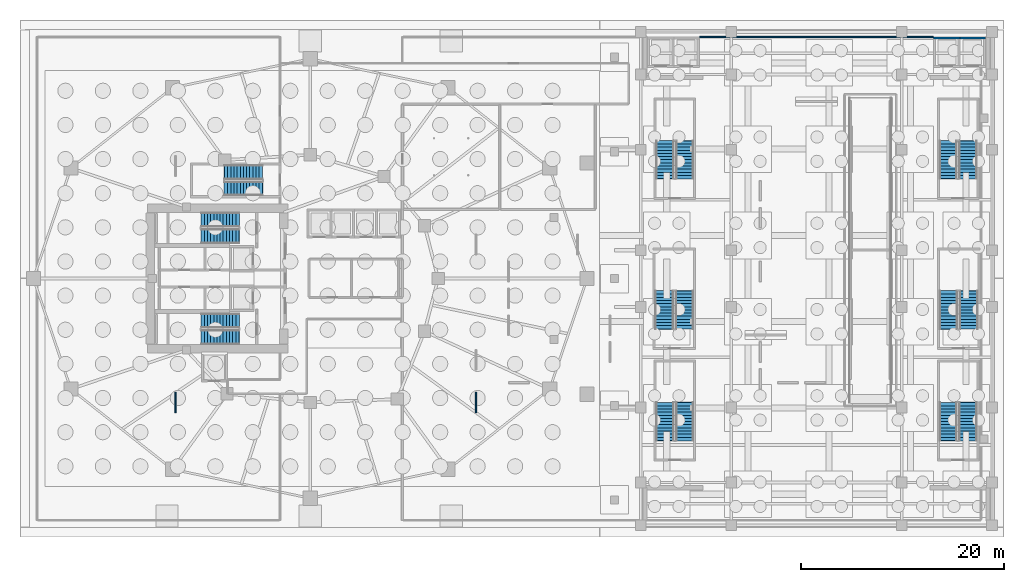
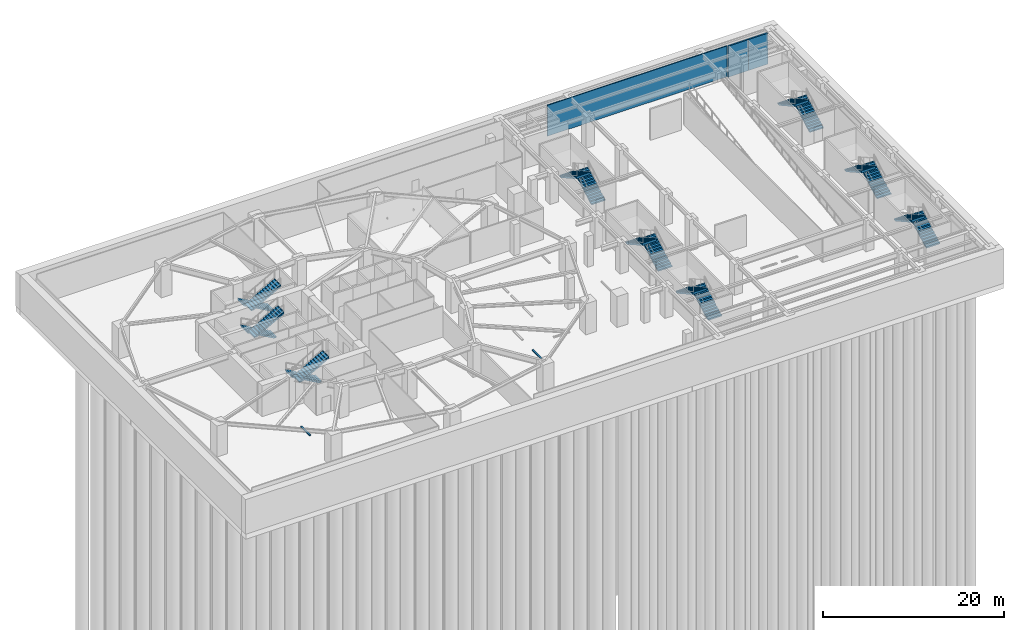
# One storey, part 12 of 19: 18 stair flights, 3 walls, 2 discrete accessories, 9 elements without a shape of their own.
"""IFC4 building model written with IfcOpenShell, lengths in metres."""

from ifc_helpers import new_model, si_unit, direction, frame, frame_2d, origin, origin_2d, place, context, subcontext, project, spatial, polyline, rectangle, outline, extrude, material, layer, layer_set, type_object, element, aggregate, save


model = new_model("IFC4")

# Units and contexts
model_context = context("Model", 3, precision=1e-05, world=origin(), true_north=direction((0.0, 1.0)))
body_context = subcontext(model_context, "Body", "Model", "MODEL_VIEW")
ifc_project = project(units=[si_unit("LENGTHUNIT", "METRE"), si_unit("AREAUNIT", "SQUARE_METRE"), si_unit("VOLUMEUNIT", "CUBIC_METRE"), si_unit("PLANEANGLEUNIT", "RADIAN"), si_unit("MASSUNIT", "GRAM", prefix="KILO")], contexts=[model_context])

# Site, building, storey
site_placement = place(None, origin())
site = spatial("IfcSite", under=ifc_project, at=site_placement, CompositionType="ELEMENT")
building_placement = place(site_placement, origin())
building = spatial("IfcBuilding", under=site, at=building_placement, Name="Kolvaren Gate Tower and Convention Centre", CompositionType="ELEMENT")
storey_placement = place(building_placement, frame((0.0, 0.0, -13.5)))
storey = spatial("IfcBuildingStorey", under=building, at=storey_placement, Name="B3", CompositionType="ELEMENT", Elevation=-13.5)

# Walls
ifc_material_1 = material(Name="Fire-Rated Acoustic Gypsum Stud Partition", Category="gypsum")
ifc_layer_1 = layer(ifc_material_1, 0.1201171875)
ifc_layer_set_1 = layer_set([ifc_layer_1], Name="Fire-Rated Acoustic Gypsum Stud Partition")
wall_type_1 = type_object("IfcWallType", Name="ARCH-WL-PART-120", PredefinedType="PARTITIONING", material=ifc_layer_set_1)
wall_1_placement = place(storey_placement, frame((68.5, 50.800048828125, 0.0), z_axis=(0.0, 0.0, 1.0), x_axis=(1.0, 0.0, 0.0)))
element("IfcWall", 1, at=wall_1_placement, inside=storey, type_object=wall_type_1, Name="Interior Partition WL-B3-INT-031", PredefinedType="PARTITIONING", context=body_context, shape_type="SweptSolid", body=[
    extrude(rectangle(XDim=23.0, YDim=0.1201171875, at=frame_2d((11.5, 0.0))), origin(), (0.0, 0.0, 1.0), 4.179931640625),
])
ifc_material_2 = material(Name="Autoclaved Aerated Masonry Blockwork Class 4 (4.0 MPa)", Category="masonry")
ifc_layer_2 = layer(ifc_material_2, 0.199951171875)
ifc_layer_set_2 = layer_set([ifc_layer_2], Name="Autoclaved Aerated Masonry Blockwork Class 4 (4.0 MPa)")
wall_type_2 = type_object("IfcWallType", Name="ARCH-WL-SHAFT-200", PredefinedType="SOLIDWALL", material=ifc_layer_set_2)
wall_2_placement = place(storey_placement, frame((91.550048828125, 50.699951171875, 0.0), z_axis=(0.0, 0.0, 1.0), x_axis=(1.0, 0.0, 0.0)))
element("IfcWall", 2, at=wall_2_placement, inside=storey, type_object=wall_type_2, Name="Elevator CL-03 B3 Fire Shaft Wall N", PredefinedType="SOLIDWALL", context=body_context, shape_type="SweptSolid", body=[
    extrude(rectangle(XDim=2.599853515625, YDim=0.199951171875, at=frame_2d((1.2998046875, 0.0))), origin(), (0.0, 0.0, 1.0), 4.179931640625),
])
wall_3_placement = place(storey_placement, frame((94.14990234375, 50.699951171875, 0.0), z_axis=(0.0, 0.0, 1.0), x_axis=(1.0, 0.0, 0.0)))
element("IfcWall", 3, at=wall_3_placement, inside=storey, type_object=wall_type_2, Name="Elevator CL-04 B3 Fire Shaft Wall N", PredefinedType="SOLIDWALL", context=body_context, shape_type="SweptSolid", body=[
    extrude(rectangle(XDim=2.5, YDim=0.199951171875, at=frame_2d((1.25, 0.0))), origin(), (0.0, 0.0, 1.0), 4.179931640625),
])

# Stair, stair flights
ifc_material_3 = material(Name="Concrete C50/60", Category="concrete")
stair_type_1 = type_object("IfcStairType", Name="STR-STAIR-CORE", PredefinedType="HALF_TURN_STAIR", material=ifc_material_3)
stair_1_placement = place(storey_placement, origin())
stair_1 = element("IfcStair", 4, at=stair_1_placement, inside=storey, type_object=stair_type_1, Name="B3 Tower North Exit Stair ST-T1", PredefinedType="HALF_TURN_STAIR")
stair_flight_type_1 = type_object("IfcStairFlightType", Name="STR-SFL-1420", PredefinedType="STRAIGHT", material=ifc_material_3)
stair_flight_1_placement = place(storey_placement, frame((23.10009765625, 32.7900390625, 0.0), z_axis=(0.0, 0.0, 1.0), x_axis=(-1.0, 0.0, 0.0)))
stair_flight_1 = element("IfcStairFlight", 5, at=stair_flight_1_placement, type_object=stair_flight_type_1, Name="ST-T1 flight 1", NumberOfRisers=13, NumberOfTreads=12, PredefinedType="STRAIGHT", RiserHeight=0.173076923, TreadLength=0.31, context=body_context, shape_type="SweptSolid", body=[
    extrude(outline(polyline([(-0.034912109375, 0.0), (-0.034912109375, 0.173095703125), (0.31005859375, 0.173095703125), (0.31005859375, 0.34619140625), (0.6201171875, 0.34619140625), (0.6201171875, 0.519287109375), (0.929931640625, 0.519287109375), (0.929931640625, 0.6923828125), (1.239990234375, 0.6923828125), (1.239990234375, 0.865478515625), (1.550048828125, 0.865478515625), (1.550048828125, 1.03857421875), (1.860107421875, 1.03857421875), (1.860107421875, 1.21142578125), (2.169921875, 1.21142578125), (2.169921875, 1.384521484375), (2.47998046875, 1.384521484375), (2.47998046875, 1.5576171875), (2.7900390625, 1.5576171875), (2.7900390625, 1.730712890625), (3.10009765625, 1.730712890625), (3.10009765625, 1.90380859375), (3.409912109375, 1.90380859375), (3.409912109375, 2.076904296875), (3.719970703125, 2.076904296875), (3.719970703125, 2.25), (3.764892578125, 2.25), (3.764892578125, 2.090087890625), (3.719970703125, 1.9052734375), (0.3076171875, 0.0), (-0.034912109375, 0.0)])), frame((0.0, 0.7099609375, 0.0), z_axis=(0.0, -1.0, 0.0), x_axis=(1.0, 0.0, 0.0)), (0.0, 0.0, 1.0), 1.419921875),
])
stair_flight_2_placement = place(storey_placement, frame((19.3798828125, 31.169921875, 2.25), z_axis=(0.0, 0.0, 1.0), x_axis=(1.0, 0.0, 0.0)))
stair_flight_2 = element("IfcStairFlight", 6, at=stair_flight_2_placement, type_object=stair_flight_type_1, Name="ST-T1 flight 2", NumberOfRisers=13, NumberOfTreads=12, PredefinedType="STRAIGHT", RiserHeight=0.173076923, TreadLength=0.31, context=body_context, shape_type="SweptSolid", body=[
    extrude(outline(polyline([(-0.034912109375, 0.0), (-0.034912109375, 0.173095703125), (0.31005859375, 0.173095703125), (0.31005859375, 0.34619140625), (0.6201171875, 0.34619140625), (0.6201171875, 0.519287109375), (0.929931640625, 0.519287109375), (0.929931640625, 0.6923828125), (1.239990234375, 0.6923828125), (1.239990234375, 0.865478515625), (1.550048828125, 0.865478515625), (1.550048828125, 1.03857421875), (1.860107421875, 1.03857421875), (1.860107421875, 1.21142578125), (2.169921875, 1.21142578125), (2.169921875, 1.384521484375), (2.47998046875, 1.384521484375), (2.47998046875, 1.5576171875), (2.7900390625, 1.5576171875), (2.7900390625, 1.730712890625), (3.10009765625, 1.730712890625), (3.10009765625, 1.90380859375), (3.409912109375, 1.90380859375), (3.409912109375, 2.076904296875), (3.719970703125, 2.076904296875), (3.719970703125, 2.25), (3.764892578125, 2.25), (3.764892578125, 2.090087890625), (3.719970703125, 1.9052734375), (0.3076171875, 0.0), (-0.034912109375, 0.0)])), frame((0.0, 0.7099609375, 0.0), z_axis=(0.0, -1.0, 0.0), x_axis=(1.0, 0.0, 0.0)), (0.0, 0.0, 1.0), 1.419921875),
])
aggregate(stair_1, [stair_flight_1, stair_flight_2])

stair_2_placement = place(storey_placement, origin())
stair_2 = element("IfcStair", 7, at=stair_2_placement, inside=storey, type_object=stair_type_1, Name="B3 Tower South Exit Stair ST-T2", PredefinedType="HALF_TURN_STAIR")
stair_flight_3_placement = place(storey_placement, frame((23.10009765625, 22.830078125, 0.0), z_axis=(0.0, 0.0, 1.0), x_axis=(-1.0, 0.0, 0.0)))
stair_flight_3 = element("IfcStairFlight", 8, at=stair_flight_3_placement, type_object=stair_flight_type_1, Name="ST-T2 flight 1", NumberOfRisers=13, NumberOfTreads=12, PredefinedType="STRAIGHT", RiserHeight=0.173076923, TreadLength=0.31, context=body_context, shape_type="SweptSolid", body=[
    extrude(outline(polyline([(-0.034912109375, 0.0), (-0.034912109375, 0.173095703125), (0.31005859375, 0.173095703125), (0.31005859375, 0.34619140625), (0.6201171875, 0.34619140625), (0.6201171875, 0.519287109375), (0.929931640625, 0.519287109375), (0.929931640625, 0.6923828125), (1.239990234375, 0.6923828125), (1.239990234375, 0.865478515625), (1.550048828125, 0.865478515625), (1.550048828125, 1.03857421875), (1.860107421875, 1.03857421875), (1.860107421875, 1.21142578125), (2.169921875, 1.21142578125), (2.169921875, 1.384521484375), (2.47998046875, 1.384521484375), (2.47998046875, 1.5576171875), (2.7900390625, 1.5576171875), (2.7900390625, 1.730712890625), (3.10009765625, 1.730712890625), (3.10009765625, 1.90380859375), (3.409912109375, 1.90380859375), (3.409912109375, 2.076904296875), (3.719970703125, 2.076904296875), (3.719970703125, 2.25), (3.764892578125, 2.25), (3.764892578125, 2.090087890625), (3.719970703125, 1.9052734375), (0.3076171875, 0.0), (-0.034912109375, 0.0)])), frame((0.0, 0.7099609375, 0.0), z_axis=(0.0, -1.0, 0.0), x_axis=(1.0, 0.0, 0.0)), (0.0, 0.0, 1.0), 1.419921875),
])
stair_flight_4_placement = place(storey_placement, frame((19.3798828125, 21.2099609375, 2.25), z_axis=(0.0, 0.0, 1.0), x_axis=(1.0, 0.0, 0.0)))
stair_flight_4 = element("IfcStairFlight", 9, at=stair_flight_4_placement, type_object=stair_flight_type_1, Name="ST-T2 flight 2", NumberOfRisers=13, NumberOfTreads=12, PredefinedType="STRAIGHT", RiserHeight=0.173076923, TreadLength=0.31, context=body_context, shape_type="SweptSolid", body=[
    extrude(outline(polyline([(-0.034912109375, 0.0), (-0.034912109375, 0.173095703125), (0.31005859375, 0.173095703125), (0.31005859375, 0.34619140625), (0.6201171875, 0.34619140625), (0.6201171875, 0.519287109375), (0.929931640625, 0.519287109375), (0.929931640625, 0.6923828125), (1.239990234375, 0.6923828125), (1.239990234375, 0.865478515625), (1.550048828125, 0.865478515625), (1.550048828125, 1.03857421875), (1.860107421875, 1.03857421875), (1.860107421875, 1.21142578125), (2.169921875, 1.21142578125), (2.169921875, 1.384521484375), (2.47998046875, 1.384521484375), (2.47998046875, 1.5576171875), (2.7900390625, 1.5576171875), (2.7900390625, 1.730712890625), (3.10009765625, 1.730712890625), (3.10009765625, 1.90380859375), (3.409912109375, 1.90380859375), (3.409912109375, 2.076904296875), (3.719970703125, 2.076904296875), (3.719970703125, 2.25), (3.764892578125, 2.25), (3.764892578125, 2.090087890625), (3.719970703125, 1.9052734375), (0.3076171875, 0.0), (-0.034912109375, 0.0)])), frame((0.0, 0.7099609375, 0.0), z_axis=(0.0, -1.0, 0.0), x_axis=(1.0, 0.0, 0.0)), (0.0, 0.0, 1.0), 1.419921875),
])
aggregate(stair_2, [stair_flight_3, stair_flight_4])

stair_3_placement = place(storey_placement, origin())
stair_3 = element("IfcStair", 10, at=stair_3_placement, inside=storey, type_object=stair_type_1, Name="B3 Tower Mid-Zone Exit Stair ST-T3", PredefinedType="HALF_TURN_STAIR")
stair_flight_5_placement = place(storey_placement, frame((25.39990234375, 37.489990234375, 0.0), z_axis=(0.0, 0.0, 1.0), x_axis=(-1.0, 0.0, 0.0)))
stair_flight_5 = element("IfcStairFlight", 11, at=stair_flight_5_placement, type_object=stair_flight_type_1, Name="ST-T3 flight 1", NumberOfRisers=13, NumberOfTreads=12, PredefinedType="STRAIGHT", RiserHeight=0.173076923, TreadLength=0.31, context=body_context, shape_type="SweptSolid", body=[
    extrude(outline(polyline([(-0.034912109375, 0.0), (-0.034912109375, 0.173095703125), (0.31005859375, 0.173095703125), (0.31005859375, 0.34619140625), (0.6201171875, 0.34619140625), (0.6201171875, 0.519287109375), (0.929931640625, 0.519287109375), (0.929931640625, 0.6923828125), (1.239990234375, 0.6923828125), (1.239990234375, 0.865478515625), (1.550048828125, 0.865478515625), (1.550048828125, 1.03857421875), (1.860107421875, 1.03857421875), (1.860107421875, 1.21142578125), (2.169921875, 1.21142578125), (2.169921875, 1.384521484375), (2.47998046875, 1.384521484375), (2.47998046875, 1.5576171875), (2.7900390625, 1.5576171875), (2.7900390625, 1.730712890625), (3.10009765625, 1.730712890625), (3.10009765625, 1.90380859375), (3.409912109375, 1.90380859375), (3.409912109375, 2.076904296875), (3.719970703125, 2.076904296875), (3.719970703125, 2.25), (3.764892578125, 2.25), (3.764892578125, 2.090087890625), (3.719970703125, 1.9052734375), (0.3076171875, 0.0), (-0.034912109375, 0.0)])), frame((0.0, 0.7099609375, 0.0), z_axis=(0.0, -1.0, 0.0), x_axis=(1.0, 0.0, 0.0)), (0.0, 0.0, 1.0), 1.419921875),
])
stair_flight_6_placement = place(storey_placement, frame((21.679931640625, 35.8701171875, 2.25), z_axis=(0.0, 0.0, 1.0), x_axis=(1.0, 0.0, 0.0)))
stair_flight_6 = element("IfcStairFlight", 12, at=stair_flight_6_placement, type_object=stair_flight_type_1, Name="ST-T3 flight 2", NumberOfRisers=13, NumberOfTreads=12, PredefinedType="STRAIGHT", RiserHeight=0.173076923, TreadLength=0.31, context=body_context, shape_type="SweptSolid", body=[
    extrude(outline(polyline([(-0.034912109375, 0.0), (-0.034912109375, 0.173095703125), (0.31005859375, 0.173095703125), (0.31005859375, 0.34619140625), (0.6201171875, 0.34619140625), (0.6201171875, 0.519287109375), (0.929931640625, 0.519287109375), (0.929931640625, 0.6923828125), (1.239990234375, 0.6923828125), (1.239990234375, 0.865478515625), (1.550048828125, 0.865478515625), (1.550048828125, 1.03857421875), (1.860107421875, 1.03857421875), (1.860107421875, 1.21142578125), (2.169921875, 1.21142578125), (2.169921875, 1.384521484375), (2.47998046875, 1.384521484375), (2.47998046875, 1.5576171875), (2.7900390625, 1.5576171875), (2.7900390625, 1.730712890625), (3.10009765625, 1.730712890625), (3.10009765625, 1.90380859375), (3.409912109375, 1.90380859375), (3.409912109375, 2.076904296875), (3.719970703125, 2.076904296875), (3.719970703125, 2.25), (3.764892578125, 2.25), (3.764892578125, 2.090087890625), (3.719970703125, 1.9052734375), (0.3076171875, 0.0), (-0.034912109375, 0.0)])), frame((0.0, 0.7099609375, 0.0), z_axis=(0.0, -1.0, 0.0), x_axis=(1.0, 0.0, 0.0)), (0.0, 0.0, 1.0), 1.419921875),
])
aggregate(stair_3, [stair_flight_5, stair_flight_6])

stair_type_2 = type_object("IfcStairType", Name="STR-STAIR-CONV", PredefinedType="HALF_TURN_STAIR", material=ifc_material_3)
stair_4_placement = place(storey_placement, origin())
stair_4 = element("IfcStair", 13, at=stair_4_placement, inside=storey, type_object=stair_type_2, Name="B3 Convention NW Exit Stair ST-C1", PredefinedType="HALF_TURN_STAIR")
stair_flight_type_2 = type_object("IfcStairFlightType", Name="STR-SFL-1750", PredefinedType="STRAIGHT", material=ifc_material_3)
stair_flight_7_placement = place(storey_placement, frame((67.02490234375, 36.85009765625, 0.0), z_axis=(0.0, 0.0, 1.0), x_axis=(0.0, 1.0, 0.0)))
stair_flight_7 = element("IfcStairFlight", 14, at=stair_flight_7_placement, type_object=stair_flight_type_2, Name="ST-C1 flight 1", NumberOfRisers=13, NumberOfTreads=12, PredefinedType="STRAIGHT", RiserHeight=0.173076923, TreadLength=0.31, context=body_context, shape_type="SweptSolid", body=[
    extrude(outline(polyline([(-0.034912109375, 0.0), (-0.034912109375, 0.173095703125), (0.31005859375, 0.173095703125), (0.31005859375, 0.34619140625), (0.6201171875, 0.34619140625), (0.6201171875, 0.519287109375), (0.929931640625, 0.519287109375), (0.929931640625, 0.6923828125), (1.239990234375, 0.6923828125), (1.239990234375, 0.865478515625), (1.550048828125, 0.865478515625), (1.550048828125, 1.03857421875), (1.860107421875, 1.03857421875), (1.860107421875, 1.21142578125), (2.169921875, 1.21142578125), (2.169921875, 1.384521484375), (2.47998046875, 1.384521484375), (2.47998046875, 1.5576171875), (2.7900390625, 1.5576171875), (2.7900390625, 1.730712890625), (3.10009765625, 1.730712890625), (3.10009765625, 1.90380859375), (3.409912109375, 1.90380859375), (3.409912109375, 2.076904296875), (3.719970703125, 2.076904296875), (3.719970703125, 2.25), (3.764892578125, 2.25), (3.764892578125, 2.090087890625), (3.719970703125, 1.9052734375), (0.3076171875, 0.0), (-0.034912109375, 0.0)])), frame((0.0, 0.875, 0.0), z_axis=(0.0, -1.0, 0.0), x_axis=(1.0, 0.0, 0.0)), (0.0, 0.0, 1.0), 1.75),
])
stair_flight_8_placement = place(storey_placement, frame((65.074951171875, 40.570068359375, 2.25), z_axis=(0.0, 0.0, 1.0), x_axis=(0.0, -1.0, 0.0)))
stair_flight_8 = element("IfcStairFlight", 15, at=stair_flight_8_placement, type_object=stair_flight_type_2, Name="ST-C1 flight 2", NumberOfRisers=13, NumberOfTreads=12, PredefinedType="STRAIGHT", RiserHeight=0.173076923, TreadLength=0.31, context=body_context, shape_type="SweptSolid", body=[
    extrude(outline(polyline([(-0.034912109375, 0.0), (-0.034912109375, 0.173095703125), (0.31005859375, 0.173095703125), (0.31005859375, 0.34619140625), (0.6201171875, 0.34619140625), (0.6201171875, 0.519287109375), (0.929931640625, 0.519287109375), (0.929931640625, 0.6923828125), (1.239990234375, 0.6923828125), (1.239990234375, 0.865478515625), (1.550048828125, 0.865478515625), (1.550048828125, 1.03857421875), (1.860107421875, 1.03857421875), (1.860107421875, 1.21142578125), (2.169921875, 1.21142578125), (2.169921875, 1.384521484375), (2.47998046875, 1.384521484375), (2.47998046875, 1.5576171875), (2.7900390625, 1.5576171875), (2.7900390625, 1.730712890625), (3.10009765625, 1.730712890625), (3.10009765625, 1.90380859375), (3.409912109375, 1.90380859375), (3.409912109375, 2.076904296875), (3.719970703125, 2.076904296875), (3.719970703125, 2.25), (3.764892578125, 2.25), (3.764892578125, 2.090087890625), (3.719970703125, 1.9052734375), (0.3076171875, 0.0), (-0.034912109375, 0.0)])), frame((0.0, 0.875, 0.0), z_axis=(0.0, -1.0, 0.0), x_axis=(1.0, 0.0, 0.0)), (0.0, 0.0, 1.0), 1.75),
])
aggregate(stair_4, [stair_flight_7, stair_flight_8])

stair_5_placement = place(storey_placement, origin())
stair_5 = element("IfcStair", 16, at=stair_5_placement, inside=storey, type_object=stair_type_2, Name="B3 Convention SW Exit Stair ST-C2", PredefinedType="HALF_TURN_STAIR")
stair_flight_9_placement = place(storey_placement, frame((67.02490234375, 11.050048828125, 0.0), z_axis=(0.0, 0.0, 1.0), x_axis=(0.0, 1.0, 0.0)))
stair_flight_9 = element("IfcStairFlight", 17, at=stair_flight_9_placement, type_object=stair_flight_type_2, Name="ST-C2 flight 1", NumberOfRisers=13, NumberOfTreads=12, PredefinedType="STRAIGHT", RiserHeight=0.173076923, TreadLength=0.31, context=body_context, shape_type="SweptSolid", body=[
    extrude(outline(polyline([(-0.034912109375, 0.0), (-0.034912109375, 0.173095703125), (0.31005859375, 0.173095703125), (0.31005859375, 0.34619140625), (0.6201171875, 0.34619140625), (0.6201171875, 0.519287109375), (0.929931640625, 0.519287109375), (0.929931640625, 0.6923828125), (1.239990234375, 0.6923828125), (1.239990234375, 0.865478515625), (1.550048828125, 0.865478515625), (1.550048828125, 1.03857421875), (1.860107421875, 1.03857421875), (1.860107421875, 1.21142578125), (2.169921875, 1.21142578125), (2.169921875, 1.384521484375), (2.47998046875, 1.384521484375), (2.47998046875, 1.5576171875), (2.7900390625, 1.5576171875), (2.7900390625, 1.730712890625), (3.10009765625, 1.730712890625), (3.10009765625, 1.90380859375), (3.409912109375, 1.90380859375), (3.409912109375, 2.076904296875), (3.719970703125, 2.076904296875), (3.719970703125, 2.25), (3.764892578125, 2.25), (3.764892578125, 2.090087890625), (3.719970703125, 1.9052734375), (0.3076171875, 0.0), (-0.034912109375, 0.0)])), frame((0.0, 0.875, 0.0), z_axis=(0.0, -1.0, 0.0), x_axis=(1.0, 0.0, 0.0)), (0.0, 0.0, 1.0), 1.75),
])
stair_flight_10_placement = place(storey_placement, frame((65.074951171875, 14.77001953125, 2.25), z_axis=(0.0, 0.0, 1.0), x_axis=(0.0, -1.0, 0.0)))
stair_flight_10 = element("IfcStairFlight", 18, at=stair_flight_10_placement, type_object=stair_flight_type_2, Name="ST-C2 flight 2", NumberOfRisers=13, NumberOfTreads=12, PredefinedType="STRAIGHT", RiserHeight=0.173076923, TreadLength=0.31, context=body_context, shape_type="SweptSolid", body=[
    extrude(outline(polyline([(-0.034912109375, 0.0), (-0.034912109375, 0.173095703125), (0.31005859375, 0.173095703125), (0.31005859375, 0.34619140625), (0.6201171875, 0.34619140625), (0.6201171875, 0.519287109375), (0.929931640625, 0.519287109375), (0.929931640625, 0.6923828125), (1.239990234375, 0.6923828125), (1.239990234375, 0.865478515625), (1.550048828125, 0.865478515625), (1.550048828125, 1.03857421875), (1.860107421875, 1.03857421875), (1.860107421875, 1.21142578125), (2.169921875, 1.21142578125), (2.169921875, 1.384521484375), (2.47998046875, 1.384521484375), (2.47998046875, 1.5576171875), (2.7900390625, 1.5576171875), (2.7900390625, 1.730712890625), (3.10009765625, 1.730712890625), (3.10009765625, 1.90380859375), (3.409912109375, 1.90380859375), (3.409912109375, 2.076904296875), (3.719970703125, 2.076904296875), (3.719970703125, 2.25), (3.764892578125, 2.25), (3.764892578125, 2.090087890625), (3.719970703125, 1.9052734375), (0.3076171875, 0.0), (-0.034912109375, 0.0)])), frame((0.0, 0.875, 0.0), z_axis=(0.0, -1.0, 0.0), x_axis=(1.0, 0.0, 0.0)), (0.0, 0.0, 1.0), 1.75),
])
aggregate(stair_5, [stair_flight_9, stair_flight_10])

stair_6_placement = place(storey_placement, origin())
stair_6 = element("IfcStair", 19, at=stair_6_placement, inside=storey, type_object=stair_type_2, Name="B3 Convention NE Exit Stair ST-C3", PredefinedType="HALF_TURN_STAIR")
stair_flight_11_placement = place(storey_placement, frame((94.925048828125, 36.85009765625, 0.0), z_axis=(0.0, 0.0, 1.0), x_axis=(0.0, 1.0, 0.0)))
stair_flight_11 = element("IfcStairFlight", 20, at=stair_flight_11_placement, type_object=stair_flight_type_2, Name="ST-C3 flight 1", NumberOfRisers=13, NumberOfTreads=12, PredefinedType="STRAIGHT", RiserHeight=0.173076923, TreadLength=0.31, context=body_context, shape_type="SweptSolid", body=[
    extrude(outline(polyline([(-0.034912109375, 0.0), (-0.034912109375, 0.173095703125), (0.31005859375, 0.173095703125), (0.31005859375, 0.34619140625), (0.6201171875, 0.34619140625), (0.6201171875, 0.519287109375), (0.929931640625, 0.519287109375), (0.929931640625, 0.6923828125), (1.239990234375, 0.6923828125), (1.239990234375, 0.865478515625), (1.550048828125, 0.865478515625), (1.550048828125, 1.03857421875), (1.860107421875, 1.03857421875), (1.860107421875, 1.21142578125), (2.169921875, 1.21142578125), (2.169921875, 1.384521484375), (2.47998046875, 1.384521484375), (2.47998046875, 1.5576171875), (2.7900390625, 1.5576171875), (2.7900390625, 1.730712890625), (3.10009765625, 1.730712890625), (3.10009765625, 1.90380859375), (3.409912109375, 1.90380859375), (3.409912109375, 2.076904296875), (3.719970703125, 2.076904296875), (3.719970703125, 2.25), (3.764892578125, 2.25), (3.764892578125, 2.090087890625), (3.719970703125, 1.9052734375), (0.3076171875, 0.0), (-0.034912109375, 0.0)])), frame((0.0, 0.875, 0.0), z_axis=(0.0, -1.0, 0.0), x_axis=(1.0, 0.0, 0.0)), (0.0, 0.0, 1.0), 1.75),
])
stair_flight_12_placement = place(storey_placement, frame((92.97509765625, 40.570068359375, 2.25), z_axis=(0.0, 0.0, 1.0), x_axis=(0.0, -1.0, 0.0)))
stair_flight_12 = element("IfcStairFlight", 21, at=stair_flight_12_placement, type_object=stair_flight_type_2, Name="ST-C3 flight 2", NumberOfRisers=13, NumberOfTreads=12, PredefinedType="STRAIGHT", RiserHeight=0.173076923, TreadLength=0.31, context=body_context, shape_type="SweptSolid", body=[
    extrude(outline(polyline([(-0.034912109375, 0.0), (-0.034912109375, 0.173095703125), (0.31005859375, 0.173095703125), (0.31005859375, 0.34619140625), (0.6201171875, 0.34619140625), (0.6201171875, 0.519287109375), (0.929931640625, 0.519287109375), (0.929931640625, 0.6923828125), (1.239990234375, 0.6923828125), (1.239990234375, 0.865478515625), (1.550048828125, 0.865478515625), (1.550048828125, 1.03857421875), (1.860107421875, 1.03857421875), (1.860107421875, 1.21142578125), (2.169921875, 1.21142578125), (2.169921875, 1.384521484375), (2.47998046875, 1.384521484375), (2.47998046875, 1.5576171875), (2.7900390625, 1.5576171875), (2.7900390625, 1.730712890625), (3.10009765625, 1.730712890625), (3.10009765625, 1.90380859375), (3.409912109375, 1.90380859375), (3.409912109375, 2.076904296875), (3.719970703125, 2.076904296875), (3.719970703125, 2.25), (3.764892578125, 2.25), (3.764892578125, 2.090087890625), (3.719970703125, 1.9052734375), (0.3076171875, 0.0), (-0.034912109375, 0.0)])), frame((0.0, 0.875, 0.0), z_axis=(0.0, -1.0, 0.0), x_axis=(1.0, 0.0, 0.0)), (0.0, 0.0, 1.0), 1.75),
])
aggregate(stair_6, [stair_flight_11, stair_flight_12])

stair_7_placement = place(storey_placement, origin())
stair_7 = element("IfcStair", 22, at=stair_7_placement, inside=storey, type_object=stair_type_2, Name="B3 Convention SE Exit Stair ST-C4", PredefinedType="HALF_TURN_STAIR")
stair_flight_13_placement = place(storey_placement, frame((94.925048828125, 11.050048828125, 0.0), z_axis=(0.0, 0.0, 1.0), x_axis=(0.0, 1.0, 0.0)))
stair_flight_13 = element("IfcStairFlight", 23, at=stair_flight_13_placement, type_object=stair_flight_type_2, Name="ST-C4 flight 1", NumberOfRisers=13, NumberOfTreads=12, PredefinedType="STRAIGHT", RiserHeight=0.173076923, TreadLength=0.31, context=body_context, shape_type="SweptSolid", body=[
    extrude(outline(polyline([(-0.034912109375, 0.0), (-0.034912109375, 0.173095703125), (0.31005859375, 0.173095703125), (0.31005859375, 0.34619140625), (0.6201171875, 0.34619140625), (0.6201171875, 0.519287109375), (0.929931640625, 0.519287109375), (0.929931640625, 0.6923828125), (1.239990234375, 0.6923828125), (1.239990234375, 0.865478515625), (1.550048828125, 0.865478515625), (1.550048828125, 1.03857421875), (1.860107421875, 1.03857421875), (1.860107421875, 1.21142578125), (2.169921875, 1.21142578125), (2.169921875, 1.384521484375), (2.47998046875, 1.384521484375), (2.47998046875, 1.5576171875), (2.7900390625, 1.5576171875), (2.7900390625, 1.730712890625), (3.10009765625, 1.730712890625), (3.10009765625, 1.90380859375), (3.409912109375, 1.90380859375), (3.409912109375, 2.076904296875), (3.719970703125, 2.076904296875), (3.719970703125, 2.25), (3.764892578125, 2.25), (3.764892578125, 2.090087890625), (3.719970703125, 1.9052734375), (0.3076171875, 0.0), (-0.034912109375, 0.0)])), frame((0.0, 0.875, 0.0), z_axis=(0.0, -1.0, 0.0), x_axis=(1.0, 0.0, 0.0)), (0.0, 0.0, 1.0), 1.75),
])
stair_flight_14_placement = place(storey_placement, frame((92.97509765625, 14.77001953125, 2.25), z_axis=(0.0, 0.0, 1.0), x_axis=(0.0, -1.0, 0.0)))
stair_flight_14 = element("IfcStairFlight", 24, at=stair_flight_14_placement, type_object=stair_flight_type_2, Name="ST-C4 flight 2", NumberOfRisers=13, NumberOfTreads=12, PredefinedType="STRAIGHT", RiserHeight=0.173076923, TreadLength=0.31, context=body_context, shape_type="SweptSolid", body=[
    extrude(outline(polyline([(-0.034912109375, 0.0), (-0.034912109375, 0.173095703125), (0.31005859375, 0.173095703125), (0.31005859375, 0.34619140625), (0.6201171875, 0.34619140625), (0.6201171875, 0.519287109375), (0.929931640625, 0.519287109375), (0.929931640625, 0.6923828125), (1.239990234375, 0.6923828125), (1.239990234375, 0.865478515625), (1.550048828125, 0.865478515625), (1.550048828125, 1.03857421875), (1.860107421875, 1.03857421875), (1.860107421875, 1.21142578125), (2.169921875, 1.21142578125), (2.169921875, 1.384521484375), (2.47998046875, 1.384521484375), (2.47998046875, 1.5576171875), (2.7900390625, 1.5576171875), (2.7900390625, 1.730712890625), (3.10009765625, 1.730712890625), (3.10009765625, 1.90380859375), (3.409912109375, 1.90380859375), (3.409912109375, 2.076904296875), (3.719970703125, 2.076904296875), (3.719970703125, 2.25), (3.764892578125, 2.25), (3.764892578125, 2.090087890625), (3.719970703125, 1.9052734375), (0.3076171875, 0.0), (-0.034912109375, 0.0)])), frame((0.0, 0.875, 0.0), z_axis=(0.0, -1.0, 0.0), x_axis=(1.0, 0.0, 0.0)), (0.0, 0.0, 1.0), 1.75),
])
aggregate(stair_7, [stair_flight_13, stair_flight_14])

stair_8_placement = place(storey_placement, origin())
stair_8 = element("IfcStair", 25, at=stair_8_placement, inside=storey, type_object=stair_type_2, Name="B3 Convention West Assembly Stair ST-C5", PredefinedType="HALF_TURN_STAIR")
stair_flight_15_placement = place(storey_placement, frame((67.0, 22.050048828125, 0.0), z_axis=(0.0, 0.0, 1.0), x_axis=(0.0, 1.0, 0.0)))
stair_flight_15 = element("IfcStairFlight", 26, at=stair_flight_15_placement, type_object=stair_flight_type_2, Name="ST-C5 flight 1", NumberOfRisers=13, NumberOfTreads=12, PredefinedType="STRAIGHT", RiserHeight=0.173076923, TreadLength=0.31, context=body_context, shape_type="SweptSolid", body=[
    extrude(outline(polyline([(-0.034912109375, 0.0), (-0.034912109375, 0.173095703125), (0.31005859375, 0.173095703125), (0.31005859375, 0.34619140625), (0.6201171875, 0.34619140625), (0.6201171875, 0.519287109375), (0.929931640625, 0.519287109375), (0.929931640625, 0.6923828125), (1.239990234375, 0.6923828125), (1.239990234375, 0.865478515625), (1.550048828125, 0.865478515625), (1.550048828125, 1.03857421875), (1.860107421875, 1.03857421875), (1.860107421875, 1.21142578125), (2.169921875, 1.21142578125), (2.169921875, 1.384521484375), (2.47998046875, 1.384521484375), (2.47998046875, 1.5576171875), (2.7900390625, 1.5576171875), (2.7900390625, 1.730712890625), (3.10009765625, 1.730712890625), (3.10009765625, 1.90380859375), (3.409912109375, 1.90380859375), (3.409912109375, 2.076904296875), (3.719970703125, 2.076904296875), (3.719970703125, 2.25), (3.764892578125, 2.25), (3.764892578125, 2.090087890625), (3.719970703125, 1.9052734375), (0.3076171875, 0.0), (-0.034912109375, 0.0)])), frame((0.0, 0.89990234375, 0.0), z_axis=(0.0, -1.0, 0.0), x_axis=(1.0, 0.0, 0.0)), (0.0, 0.0, 1.0), 1.800048828125),
])
stair_flight_16_placement = place(storey_placement, frame((65.0, 25.77001953125, 2.25), z_axis=(0.0, 0.0, 1.0), x_axis=(0.0, -1.0, 0.0)))
stair_flight_16 = element("IfcStairFlight", 27, at=stair_flight_16_placement, type_object=stair_flight_type_2, Name="ST-C5 flight 2", NumberOfRisers=13, NumberOfTreads=12, PredefinedType="STRAIGHT", RiserHeight=0.173076923, TreadLength=0.31, context=body_context, shape_type="SweptSolid", body=[
    extrude(outline(polyline([(-0.034912109375, 0.0), (-0.034912109375, 0.173095703125), (0.31005859375, 0.173095703125), (0.31005859375, 0.34619140625), (0.6201171875, 0.34619140625), (0.6201171875, 0.519287109375), (0.929931640625, 0.519287109375), (0.929931640625, 0.6923828125), (1.239990234375, 0.6923828125), (1.239990234375, 0.865478515625), (1.550048828125, 0.865478515625), (1.550048828125, 1.03857421875), (1.860107421875, 1.03857421875), (1.860107421875, 1.21142578125), (2.169921875, 1.21142578125), (2.169921875, 1.384521484375), (2.47998046875, 1.384521484375), (2.47998046875, 1.5576171875), (2.7900390625, 1.5576171875), (2.7900390625, 1.730712890625), (3.10009765625, 1.730712890625), (3.10009765625, 1.90380859375), (3.409912109375, 1.90380859375), (3.409912109375, 2.076904296875), (3.719970703125, 2.076904296875), (3.719970703125, 2.25), (3.764892578125, 2.25), (3.764892578125, 2.090087890625), (3.719970703125, 1.9052734375), (0.3076171875, 0.0), (-0.034912109375, 0.0)])), frame((0.0, 0.89990234375, 0.0), z_axis=(0.0, -1.0, 0.0), x_axis=(1.0, 0.0, 0.0)), (0.0, 0.0, 1.0), 1.800048828125),
])
aggregate(stair_8, [stair_flight_15, stair_flight_16])

stair_9_placement = place(storey_placement, origin())
stair_9 = element("IfcStair", 28, at=stair_9_placement, inside=storey, type_object=stair_type_2, Name="B3 Convention East Assembly Stair ST-C6", PredefinedType="HALF_TURN_STAIR")
stair_flight_17_placement = place(storey_placement, frame((95.0, 22.050048828125, 0.0), z_axis=(0.0, 0.0, 1.0), x_axis=(0.0, 1.0, 0.0)))
stair_flight_17 = element("IfcStairFlight", 29, at=stair_flight_17_placement, type_object=stair_flight_type_2, Name="ST-C6 flight 1", NumberOfRisers=13, NumberOfTreads=12, PredefinedType="STRAIGHT", RiserHeight=0.173076923, TreadLength=0.31, context=body_context, shape_type="SweptSolid", body=[
    extrude(outline(polyline([(-0.034912109375, 0.0), (-0.034912109375, 0.173095703125), (0.31005859375, 0.173095703125), (0.31005859375, 0.34619140625), (0.6201171875, 0.34619140625), (0.6201171875, 0.519287109375), (0.929931640625, 0.519287109375), (0.929931640625, 0.6923828125), (1.239990234375, 0.6923828125), (1.239990234375, 0.865478515625), (1.550048828125, 0.865478515625), (1.550048828125, 1.03857421875), (1.860107421875, 1.03857421875), (1.860107421875, 1.21142578125), (2.169921875, 1.21142578125), (2.169921875, 1.384521484375), (2.47998046875, 1.384521484375), (2.47998046875, 1.5576171875), (2.7900390625, 1.5576171875), (2.7900390625, 1.730712890625), (3.10009765625, 1.730712890625), (3.10009765625, 1.90380859375), (3.409912109375, 1.90380859375), (3.409912109375, 2.076904296875), (3.719970703125, 2.076904296875), (3.719970703125, 2.25), (3.764892578125, 2.25), (3.764892578125, 2.090087890625), (3.719970703125, 1.9052734375), (0.3076171875, 0.0), (-0.034912109375, 0.0)])), frame((0.0, 0.89990234375, 0.0), z_axis=(0.0, -1.0, 0.0), x_axis=(1.0, 0.0, 0.0)), (0.0, 0.0, 1.0), 1.800048828125),
])
stair_flight_18_placement = place(storey_placement, frame((93.0, 25.77001953125, 2.25), z_axis=(0.0, 0.0, 1.0), x_axis=(0.0, -1.0, 0.0)))
stair_flight_18 = element("IfcStairFlight", 30, at=stair_flight_18_placement, type_object=stair_flight_type_2, Name="ST-C6 flight 2", NumberOfRisers=13, NumberOfTreads=12, PredefinedType="STRAIGHT", RiserHeight=0.173076923, TreadLength=0.31, context=body_context, shape_type="SweptSolid", body=[
    extrude(outline(polyline([(-0.034912109375, 0.0), (-0.034912109375, 0.173095703125), (0.31005859375, 0.173095703125), (0.31005859375, 0.34619140625), (0.6201171875, 0.34619140625), (0.6201171875, 0.519287109375), (0.929931640625, 0.519287109375), (0.929931640625, 0.6923828125), (1.239990234375, 0.6923828125), (1.239990234375, 0.865478515625), (1.550048828125, 0.865478515625), (1.550048828125, 1.03857421875), (1.860107421875, 1.03857421875), (1.860107421875, 1.21142578125), (2.169921875, 1.21142578125), (2.169921875, 1.384521484375), (2.47998046875, 1.384521484375), (2.47998046875, 1.5576171875), (2.7900390625, 1.5576171875), (2.7900390625, 1.730712890625), (3.10009765625, 1.730712890625), (3.10009765625, 1.90380859375), (3.409912109375, 1.90380859375), (3.409912109375, 2.076904296875), (3.719970703125, 2.076904296875), (3.719970703125, 2.25), (3.764892578125, 2.25), (3.764892578125, 2.090087890625), (3.719970703125, 1.9052734375), (0.3076171875, 0.0), (-0.034912109375, 0.0)])), frame((0.0, 0.89990234375, 0.0), z_axis=(0.0, -1.0, 0.0), x_axis=(1.0, 0.0, 0.0)), (0.0, 0.0, 1.0), 1.800048828125),
])
aggregate(stair_9, [stair_flight_17, stair_flight_18])

# Discrete accessories
ifc_material_4 = material(Name="Concrete C40/50", Category="concrete")
discrete_accessory_type = type_object("IfcDiscreteAccessoryType", Name="ARCH-ACC-PARKING-BAY", PredefinedType="USERDEFINED", material=ifc_material_4)
for number, where, z_axis, x_axis, name in (
    (31, (16.85009765625, 14.800048828125, 0.0), (0.0, 0.0, 1.0), (0.0, 1.0, 0.0), "Accessible Parking Bay Wheel Stop BAY-B3-001"),
    (32, (46.449951171875, 14.800048828125, 0.0), (0.0, 0.0, 1.0), (0.0, 1.0, 0.0), "Accessible Parking Bay Wheel Stop BAY-B3-002"),
):
    element("IfcDiscreteAccessory", number, at=place(storey_placement, frame(where, z_axis=z_axis, x_axis=x_axis)), inside=storey, type_object=discrete_accessory_type, Name=name, ObjectType="WHEEL_STOP", PredefinedType="USERDEFINED", context=body_context, shape_type="SweptSolid", body=[
        extrude(rectangle(XDim=2.0, YDim=0.179931640625, at=origin_2d()), origin(), (0.0, 0.0, 1.0), 0.1201171875),
    ])

save(model, "model.ifc")
